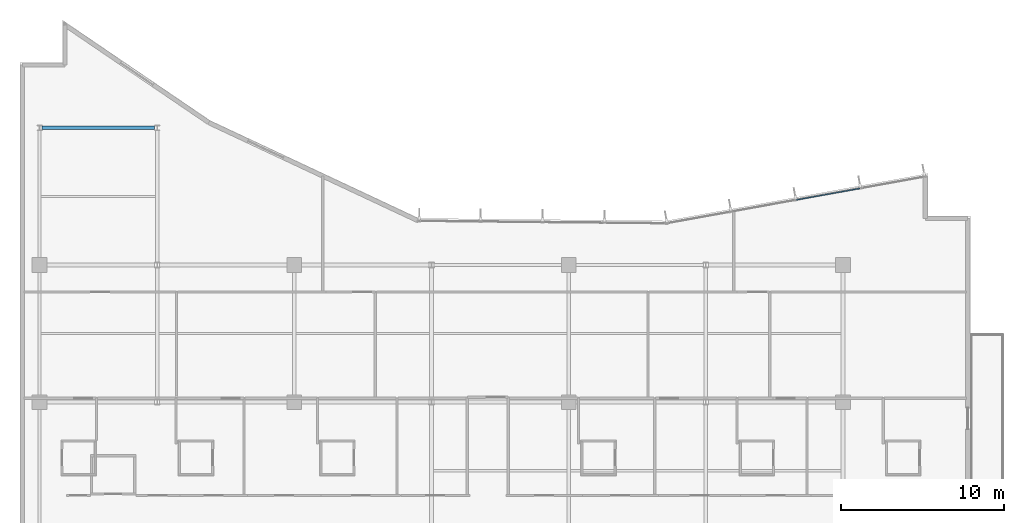
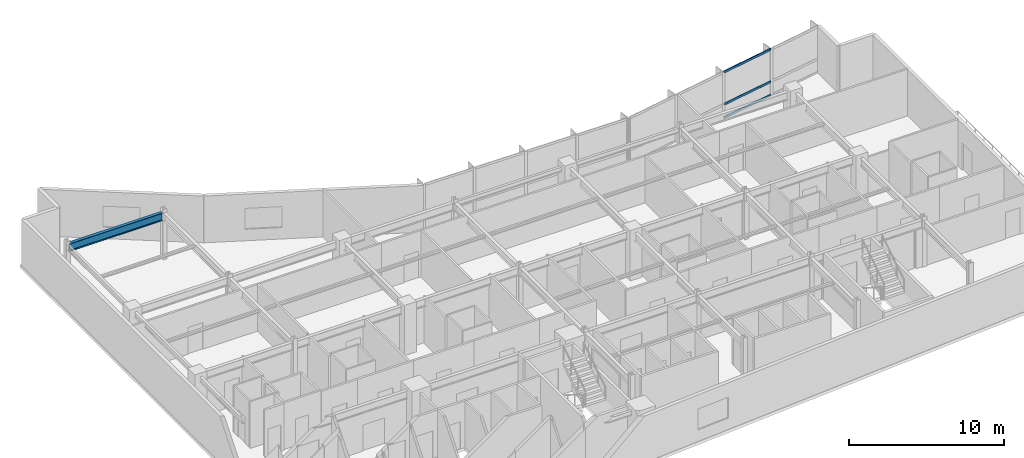
# One storey, part 7 of 19: 3 members, 1 beam, 1 element without a shape of its own.
"""IFC4 building model written with IfcOpenShell, lengths in metres."""

from ifc_helpers import new_model, si_unit, direction, frame, origin, origin_2d, place, context, subcontext, project, spatial, hollow_rectangle, i_section, extrude, material, layer, layer_set, material_profile, profile_set, type_object, element, aggregate, save


model = new_model("IFC4")

# Units and contexts
model_context = context("Model", 3, precision=1e-05, world=origin(), true_north=direction((0.0, 1.0)))
body_context = subcontext(model_context, "Body", "Model", "MODEL_VIEW")
ifc_project = project(units=[si_unit("LENGTHUNIT", "METRE"), si_unit("AREAUNIT", "SQUARE_METRE"), si_unit("VOLUMEUNIT", "CUBIC_METRE"), si_unit("PLANEANGLEUNIT", "RADIAN"), si_unit("MASSUNIT", "GRAM", prefix="KILO")], contexts=[model_context])

# Site, building, storey
site_placement = place(None, origin())
site = spatial("IfcSite", under=ifc_project, at=site_placement, CompositionType="ELEMENT")
building_placement = place(site_placement, origin())
building = spatial("IfcBuilding", under=site, at=building_placement, Name="Varnakote Quay Hospital", CompositionType="ELEMENT")
storey_placement = place(building_placement, frame((0.0, 0.0, 93.60009765625)))
storey = spatial("IfcBuildingStorey", under=building, at=storey_placement, Name="L23", CompositionType="ELEMENT", Elevation=93.60009765625)

# Beam
ifc_material_1 = material(Name="Structural steel AS/NZS 3679.1 Grade 350 L0 (fy 340 MPa)", Category="steel")
ifc_material_profile_1 = material_profile(ifc_material_1, i_section(OverallWidth=0.22900390625, OverallDepth=0.612060546875, WebThickness=0.011962890625, FlangeThickness=0.01953125, FilletRadius=0.013916015625, at=origin_2d()), Name="610UB125")
ifc_profile_set_1 = profile_set([ifc_material_profile_1], Name="Structural steel AS/NZS 3679.1 Grade 350 L0 (fy 340 MPa)")
beam_type = type_object("IfcBeamType", Name="BM-STL-610UB125", PredefinedType="BEAM", material=ifc_profile_set_1)
beam_placement = place(storey_placement, frame((1.35546875, 37.199951171875, 3.364013671875), z_axis=(1.0, 0.0, 0.0), x_axis=(0.0, 1.0, 0.0)))
element("IfcBeam", 1, at=beam_placement, inside=storey, type_object=beam_type, Name="L23 Primary Floor Beam", PredefinedType="BEAM", context=body_context, shape_type="SweptSolid", body=[
    extrude(i_section(OverallWidth=0.22900390625, OverallDepth=0.612060546875, WebThickness=0.011962890625, FlangeThickness=0.01953125, FilletRadius=0.013916015625, at=origin_2d()), origin(), (0.0, 0.0, 1.0), 6.888916015625),
])

# Curtain wall, members
ifc_material_2 = material(Name="Anodised aluminium 6063-T6 Bronze", Category="aluminium")
ifc_layer = layer(ifc_material_2, 0.18994140625)
ifc_layer_set = layer_set([ifc_layer], Name="Anodised aluminium 6063-T6 Bronze")
curtain_wall_type = type_object("IfcCurtainWallType", Name="CW-SYS-2", PredefinedType="NOTDEFINED", material=ifc_layer_set)
curtain_wall_placement = place(storey_placement, origin())
curtain_wall = element("IfcCurtainWall", 2, at=curtain_wall_placement, inside=storey, type_object=curtain_wall_type, Name="L23 Unitised Bronze Curtain Wall 1", PredefinedType="NOTDEFINED")
ifc_material_3 = material(Name="Anodised aluminium 6063-T6 Bronze", Category="aluminium")
ifc_material_profile_2 = material_profile(ifc_material_3, hollow_rectangle(XDim=0.074951171875, YDim=0.179931640625, WallThickness=0.004150390625, InnerFilletRadius=0.004150390625, OuterFilletRadius=0.00830078125, at=origin_2d()), Name="CW-TRAN-180x75")
ifc_profile_set_2 = profile_set([ifc_material_profile_2], Name="Anodised aluminium 6063-T6 Bronze")
member_type = type_object("IfcMemberType", Name="CW-TRAN-180x75", PredefinedType="USERDEFINED", material=ifc_profile_set_2)
member_1_placement = place(storey_placement, frame((51.4404296875, 33.485595703125, 0.037353515625), z_axis=(-0.984065046829, -0.177808840079, 0.0), x_axis=(0.177808840079, -0.984065046829, 0.0)))
member_1 = element("IfcMember", 3, at=member_1_placement, type_object=member_type, Name="-2-L23-1 transom 2.1", ObjectType="TRANSOM", PredefinedType="USERDEFINED", context=body_context, shape_type="SweptSolid", body=[
    extrude(hollow_rectangle(XDim=0.074951171875, YDim=0.179931640625, WallThickness=0.004150390625, InnerFilletRadius=0.004150390625, OuterFilletRadius=0.00830078125, at=origin_2d()), origin(), (0.0, 0.0, 1.0), 3.95166015625),
])
member_2_placement = place(storey_placement, frame((51.4404296875, 33.485595703125, 1.099853515625), z_axis=(-0.984065046829, -0.177808840079, 0.0), x_axis=(0.177808840079, -0.984065046829, 0.0)))
member_2 = element("IfcMember", 4, at=member_2_placement, type_object=member_type, Name="-2-L23-1 transom 2.2", ObjectType="TRANSOM", PredefinedType="USERDEFINED", context=body_context, shape_type="SweptSolid", body=[
    extrude(hollow_rectangle(XDim=0.074951171875, YDim=0.179931640625, WallThickness=0.004150390625, InnerFilletRadius=0.004150390625, OuterFilletRadius=0.00830078125, at=origin_2d()), origin(), (0.0, 0.0, 1.0), 3.95166015625),
])
member_3_placement = place(storey_placement, frame((51.4404296875, 33.485595703125, 3.63232421875), z_axis=(-0.984065046829, -0.177808840079, 0.0), x_axis=(0.177808840079, -0.984065046829, 0.0)))
member_3 = element("IfcMember", 5, at=member_3_placement, type_object=member_type, Name="-2-L23-1 transom 2.3", ObjectType="TRANSOM", PredefinedType="USERDEFINED", context=body_context, shape_type="SweptSolid", body=[
    extrude(hollow_rectangle(XDim=0.074951171875, YDim=0.179931640625, WallThickness=0.004150390625, InnerFilletRadius=0.004150390625, OuterFilletRadius=0.00830078125, at=origin_2d()), origin(), (0.0, 0.0, 1.0), 3.95166015625),
])
aggregate(curtain_wall, [member_1, member_2, member_3])

save(model, "model.ifc")
